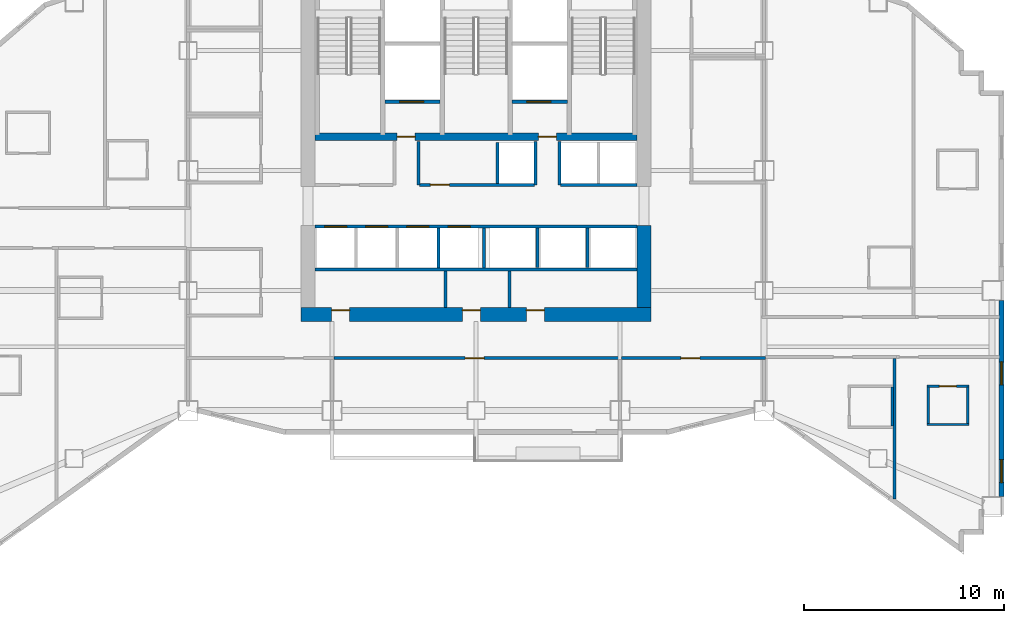
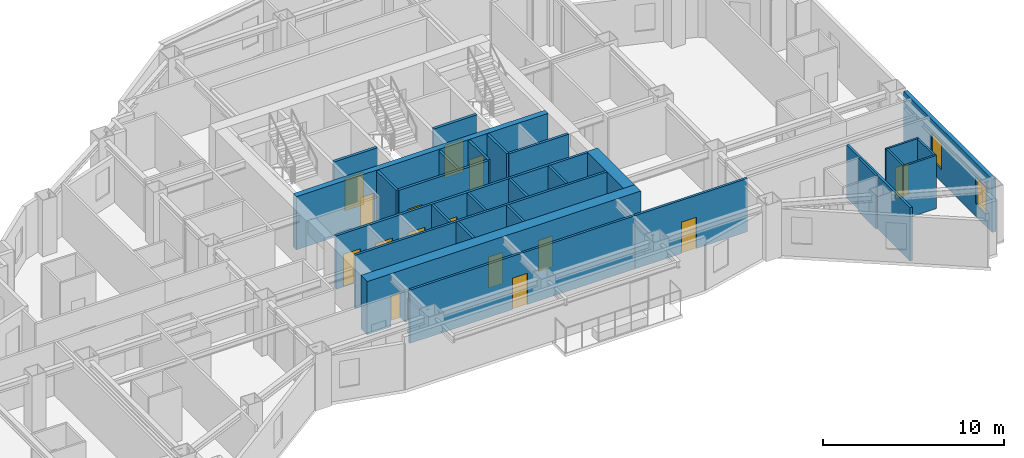
# One storey, part 7 of 13: 28 walls, 15 doors, 2 windows, 17 openings.
"""IFC4 building model written with IfcOpenShell, lengths in metres."""

from ifc_helpers import new_model, si_unit, direction, frame, frame_2d, origin, place, context, subcontext, project, spatial, rectangle, extrude, material, layer, layer_set, type_object, element, fill, save


model = new_model("IFC4")

# Units and contexts
model_context = context("Model", 3, precision=1e-05, world=origin(), true_north=direction((0.0, 1.0)))
body_context = subcontext(model_context, "Body", "Model", "MODEL_VIEW")
ifc_project = project(units=[si_unit("LENGTHUNIT", "METRE"), si_unit("AREAUNIT", "SQUARE_METRE"), si_unit("VOLUMEUNIT", "CUBIC_METRE"), si_unit("PLANEANGLEUNIT", "RADIAN"), si_unit("MASSUNIT", "GRAM", prefix="KILO")], contexts=[model_context])

# Site, building, storey
site_placement = place(None, origin())
site = spatial("IfcSite", under=ifc_project, at=site_placement, CompositionType="ELEMENT")
building_placement = place(site_placement, origin())
building = spatial("IfcBuilding", under=site, at=building_placement, Name="Haolan Belvedere Tower", CompositionType="ELEMENT")
storey_placement = place(building_placement, frame((0.0, 0.0, 106.0)))
storey = spatial("IfcBuildingStorey", under=building, at=storey_placement, Name="L26", CompositionType="ELEMENT", Elevation=106.0)

# Wall, openings, doors
ifc_material_1 = material(Name="Concrete C60/75", Category="concrete")
ifc_layer_1 = layer(ifc_material_1, 0.699951171875, Name="Concrete C60/75")
ifc_layer_set_1 = layer_set([ifc_layer_1], Name="Concrete C60/75")
wall_type_1 = type_object("IfcWallType", Name="WL-CORE-700", PredefinedType="SHEAR", material=ifc_layer_set_1)
wall_1_placement = place(storey_placement, frame((29.64990234375, 26.39990234375, 0.0), z_axis=(0.0, 0.0, 1.0), x_axis=(1.0, 0.0, 0.0)))
wall_1 = element("IfcWall", 1, at=wall_1_placement, inside=storey, type_object=wall_type_1, Name="L26 central core south shear wall", PredefinedType="SHEAR", context=body_context, shape_type="SweptSolid", body=[
    extrude(rectangle(XDim=17.5, YDim=0.699951171875, at=frame_2d((8.75, 0.0))), origin(), (0.0, 0.0, 1.0), 3.60009765625),
])
opening_1_placement = place(wall_1_placement, frame((2.419921875, 0.0, 0.0), z_axis=(0.0, 0.0, 1.0), x_axis=(-1.0, 0.0, 0.0)))
opening_1 = element("IfcOpeningElement", 2, at=opening_1_placement, cuts=wall_1, Name="Opening FD-05", PredefinedType="OPENING", context=body_context, shape_type="SweptSolid", body=[
    extrude(rectangle(XDim=0.89990234375, YDim=2.10009765625, at=frame_2d((0.449951171875, 1.050048828125))), frame((0.0, 0.35986328125, 0.0), z_axis=(0.0, -1.0, 0.0), x_axis=(1.0, 0.0, 0.0)), (0.0, 0.0, 1.0), 0.719970703125),
])
opening_2_placement = place(wall_1_placement, frame((8.9599609375, 0.0, 0.0), z_axis=(0.0, 0.0, 1.0), x_axis=(-1.0, 0.0, 0.0)))
opening_2 = element("IfcOpeningElement", 3, at=opening_2_placement, cuts=wall_1, Name="Opening FD-05", PredefinedType="OPENING", context=body_context, shape_type="SweptSolid", body=[
    extrude(rectangle(XDim=0.89990234375, YDim=2.10009765625, at=frame_2d((0.449951171875, 1.050048828125))), frame((0.0, 0.35986328125, 0.0), z_axis=(0.0, -1.0, 0.0), x_axis=(1.0, 0.0, 0.0)), (0.0, 0.0, 1.0), 0.719970703125),
])
opening_3_placement = place(wall_1_placement, frame((12.159912109375, 0.0, 0.0), z_axis=(0.0, 0.0, 1.0), x_axis=(-1.0, 0.0, 0.0)))
opening_3 = element("IfcOpeningElement", 4, at=opening_3_placement, cuts=wall_1, Name="Opening FD-05", PredefinedType="OPENING", context=body_context, shape_type="SweptSolid", body=[
    extrude(rectangle(XDim=0.89990234375, YDim=2.10009765625, at=frame_2d((0.449951171875, 1.050048828125))), frame((0.0, 0.35986328125, 0.0), z_axis=(0.0, -1.0, 0.0), x_axis=(1.0, 0.0, 0.0)), (0.0, 0.0, 1.0), 0.719970703125),
])
ifc_material_2 = material(Name="Galvanised fire-rated steel", Category="steel")
door_type_1 = type_object("IfcDoorType", Name="DR-FD60-900", OperationType="NOTDEFINED", PredefinedType="DOOR", material=ifc_material_2)
door_1_placement = place(opening_1_placement, origin())
door_1 = element("IfcDoor", 5, at=door_1_placement, inside=storey, type_object=door_type_1, Name="L26 door CD-L26-SCV-1", OperationType="SINGLE_SWING_LEFT", OverallHeight=2.10009765625, OverallWidth=0.89990234375, PredefinedType="DOOR", context=body_context, shape_type="SweptSolid", body=[
    extrude(rectangle(XDim=0.89990234375, YDim=2.10009765625, at=frame_2d((0.449951171875, 1.050048828125))), frame((0.0, -0.19482421875, 0.0), z_axis=(0.0, -1.0, 0.0), x_axis=(1.0, 0.0, 0.0)), (0.0, 0.0, 1.0), 0.050048828125),
])
fill(opening_1, door_1)
door_2_placement = place(opening_2_placement, origin())
door_2 = element("IfcDoor", 6, at=door_2_placement, inside=storey, type_object=door_type_1, Name="L26 door CD-L26-SCV-2", OperationType="SINGLE_SWING_RIGHT", OverallHeight=2.10009765625, OverallWidth=0.89990234375, PredefinedType="DOOR", context=body_context, shape_type="SweptSolid", body=[
    extrude(rectangle(XDim=0.89990234375, YDim=2.10009765625, at=frame_2d((0.449951171875, 1.050048828125))), frame((0.0, -0.19482421875, 0.0), z_axis=(0.0, -1.0, 0.0), x_axis=(1.0, 0.0, 0.0)), (0.0, 0.0, 1.0), 0.050048828125),
])
fill(opening_2, door_2)
door_3_placement = place(opening_3_placement, origin())
door_3 = element("IfcDoor", 7, at=door_3_placement, inside=storey, type_object=door_type_1, Name="L26 door CD-L26-SCV-3", OperationType="SINGLE_SWING_LEFT", OverallHeight=2.10009765625, OverallWidth=0.89990234375, PredefinedType="DOOR", context=body_context, shape_type="SweptSolid", body=[
    extrude(rectangle(XDim=0.89990234375, YDim=2.10009765625, at=frame_2d((0.449951171875, 1.050048828125))), frame((0.0, -0.19482421875, 0.0), z_axis=(0.0, -1.0, 0.0), x_axis=(1.0, 0.0, 0.0)), (0.0, 0.0, 1.0), 0.050048828125),
])
fill(opening_3, door_3)

# Wall
wall_2_placement = place(storey_placement, frame((46.800048828125, 26.75, 0.0), z_axis=(0.0, 0.0, 1.0), x_axis=(0.0, 1.0, 0.0)))
element("IfcWall", 8, at=wall_2_placement, inside=storey, type_object=wall_type_1, Name="L26 central core shear wall ES", PredefinedType="SHEAR", context=body_context, shape_type="SweptSolid", body=[
    extrude(rectangle(XDim=4.10009765625, YDim=0.699951171875, at=frame_2d((2.050048828125, 0.0))), origin(), (0.0, 0.0, 1.0), 3.60009765625),
])

# Wall, openings, windows
ifc_material_3 = material(Name="Precast concrete C40/50", Category="concrete")
ifc_layer_2 = layer(ifc_material_3, 0.239990234375, Name="Precast concrete C40/50")
ifc_layer_set_2 = layer_set([ifc_layer_2], Name="Precast concrete C40/50")
wall_type_2 = type_object("IfcWallType", Name="WL-EXT-240", PredefinedType="SOLIDWALL", material=ifc_layer_set_2)
wall_3_placement = place(storey_placement, frame((64.679931640625, 17.2919921875, 0.0), z_axis=(0.0, 0.0, 1.0), x_axis=(0.0, 1.0, 0.0)))
wall_3 = element("IfcWall", 9, at=wall_3_placement, inside=storey, type_object=wall_type_2, Name="L26 pale-metal exterior spandrel wall 14.1", PredefinedType="SOLIDWALL", context=body_context, shape_type="SweptSolid", body=[
    extrude(rectangle(XDim=9.81591796875, YDim=0.239990234375, at=frame_2d((4.907958984375, 0.0))), origin(), (0.0, 0.0, 1.0), 3.60009765625),
])
opening_4_placement = place(wall_3_placement, frame((0.699951171875, 0.0, 0.85009765625)))
opening_4 = element("IfcOpeningElement", 10, at=opening_4_placement, cuts=wall_3, Name="Opening W-02", PredefinedType="OPENING", context=body_context, shape_type="SweptSolid", body=[
    extrude(rectangle(XDim=1.14990234375, YDim=1.800048828125, at=frame_2d((0.574951171875, 0.89990234375))), frame((0.0, 0.1298828125, 0.0), z_axis=(0.0, -1.0, 0.0), x_axis=(1.0, 0.0, 0.0)), (0.0, 0.0, 1.0), 0.260009765625),
])
opening_5_placement = place(wall_3_placement, frame((5.593017578125, 0.0, 0.85009765625)))
opening_5 = element("IfcOpeningElement", 11, at=opening_5_placement, cuts=wall_3, Name="Opening W-02", PredefinedType="OPENING", context=body_context, shape_type="SweptSolid", body=[
    extrude(rectangle(XDim=1.14990234375, YDim=1.800048828125, at=frame_2d((0.574951171875, 0.89990234375))), frame((0.0, 0.1298828125, 0.0), z_axis=(0.0, -1.0, 0.0), x_axis=(1.0, 0.0, 0.0)), (0.0, 0.0, 1.0), 0.260009765625),
])
ifc_material_4 = material(Name="Anodised aluminium 6063-T6 and Low-E glass", Category="aluminium")
window_type = type_object("IfcWindowType", Name="WN-DECO-Z2", PartitioningType="SINGLE_PANEL", PredefinedType="WINDOW", material=ifc_material_4)
window_1_placement = place(opening_4_placement, origin())
window_1 = element("IfcWindow", 12, at=window_1_placement, inside=storey, type_object=window_type, Name="L26 Art Deco chevron window 1", OverallHeight=1.800048828125, OverallWidth=1.14990234375, PartitioningType="SINGLE_PANEL", PredefinedType="WINDOW", context=body_context, shape_type="SweptSolid", body=[
    extrude(rectangle(XDim=1.14990234375, YDim=1.800048828125, at=frame_2d((0.574951171875, 0.89990234375))), frame((0.0, 0.030029296875, 0.0), z_axis=(0.0, -1.0, 0.0), x_axis=(1.0, 0.0, 0.0)), (0.0, 0.0, 1.0), 0.06005859375),
])
fill(opening_4, window_1)
window_2_placement = place(opening_5_placement, origin())
window_2 = element("IfcWindow", 13, at=window_2_placement, inside=storey, type_object=window_type, Name="L26 Art Deco chevron window 2", OverallHeight=1.800048828125, OverallWidth=1.14990234375, PartitioningType="SINGLE_PANEL", PredefinedType="WINDOW", context=body_context, shape_type="SweptSolid", body=[
    extrude(rectangle(XDim=1.14990234375, YDim=1.800048828125, at=frame_2d((0.574951171875, 0.89990234375))), frame((0.0, 0.030029296875, 0.0), z_axis=(0.0, -1.0, 0.0), x_axis=(1.0, 0.0, 0.0)), (0.0, 0.0, 1.0), 0.06005859375),
])
fill(opening_5, window_2)

# Walls
ifc_material_5 = material(Name="Double gypsum acoustic stud partition", Category="masonry")
ifc_layer_3 = layer(ifc_material_5, 0.14990234375, Name="Double gypsum acoustic stud partition")
ifc_layer_set_3 = layer_set([ifc_layer_3], Name="Double gypsum acoustic stud partition")
wall_type_3 = type_object("IfcWallType", Name="WL-PART-150", PredefinedType="PARTITIONING", material=ifc_layer_set_3)
wall_4_placement = place(storey_placement, frame((30.35009765625, 28.659912109375, 0.0), z_axis=(0.0, 0.0, 1.0), x_axis=(1.0, 0.0, 0.0)))
element("IfcWall", 14, at=wall_4_placement, inside=storey, type_object=wall_type_3, Name="L26 interior partition IW-L26-SSTRIP-N", PredefinedType="PARTITIONING", context=body_context, shape_type="SweptSolid", body=[
    extrude(rectangle(XDim=16.099853515625, YDim=0.14990234375, at=frame_2d((8.0498046875, 0.0))), origin(), (0.0, 0.0, 1.0), 3.60009765625),
])
for number, where, z_axis, x_axis, name in (
    (15, (36.8798828125, 26.760009765625, 0.0), (0.0, 0.0, 1.0), (0.0, 1.0, 0.0), "L26 interior partition IW-L26-SCV-DIV-1"),
    (16, (40.080078125, 26.760009765625, 0.0), (0.0, 0.0, 1.0), (0.0, 1.0, 0.0), "L26 interior partition IW-L26-SCV-DIV-2"),
):
    element("IfcWall", number, at=place(storey_placement, frame(where, z_axis=z_axis, x_axis=x_axis)), inside=storey, type_object=wall_type_3, Name=name, PredefinedType="PARTITIONING", context=body_context, shape_type="SweptSolid", body=[
        extrude(rectangle(XDim=1.820068359375, YDim=0.14990234375, at=frame_2d((0.91015625, 0.0))), origin(), (0.0, 0.0, 1.0), 3.60009765625),
    ])

# Wall, opening, door
wall_5_placement = place(storey_placement, frame((31.281982421875, 24.219970703125, 0.0), z_axis=(0.0, 0.0, 1.0), x_axis=(1.0, 0.0, 0.0)))
wall_5 = element("IfcWall", 17, at=wall_5_placement, inside=storey, type_object=wall_type_3, Name="L26 interior partition IW-L26-KS2-N", PredefinedType="PARTITIONING", context=body_context, shape_type="SweptSolid", body=[
    extrude(rectangle(XDim=14.39794921875, YDim=0.14990234375, at=frame_2d((7.198974609375, 0.0))), origin(), (0.0, 0.0, 1.0), 3.60009765625),
])
opening_6_placement = place(wall_5_placement, frame((7.512939453125, 0.0, 0.0), z_axis=(0.0, 0.0, 1.0), x_axis=(-1.0, 0.0, 0.0)))
opening_6 = element("IfcOpeningElement", 18, at=opening_6_placement, cuts=wall_5, Name="Opening ID-03", PredefinedType="OPENING", context=body_context, shape_type="SweptSolid", body=[
    extrude(rectangle(XDim=0.949951171875, YDim=2.1201171875, at=frame_2d((0.47509765625, 1.06005859375))), frame((0.0, 0.0849609375, 0.0), z_axis=(0.0, -1.0, 0.0), x_axis=(1.0, 0.0, 0.0)), (0.0, 0.0, 1.0), 0.169921875),
])
ifc_material_6 = material(Name="Painted solid-core timber", Category="wood")
door_type_2 = type_object("IfcDoorType", Name="DR-INT-950", OperationType="NOTDEFINED", PredefinedType="DOOR", material=ifc_material_6)
door_4_placement = place(opening_6_placement, origin())
door_4 = element("IfcDoor", 19, at=door_4_placement, inside=storey, type_object=door_type_2, Name="L26 door ID-L26-KS2", OperationType="SINGLE_SWING_LEFT", OverallHeight=2.1201171875, OverallWidth=0.949951171875, PredefinedType="DOOR", context=body_context, shape_type="SweptSolid", body=[
    extrude(rectangle(XDim=0.949951171875, YDim=2.1201171875, at=frame_2d((0.47509765625, 1.06005859375))), frame((0.0, 0.02490234375, 0.0), z_axis=(0.0, -1.0, 0.0), x_axis=(1.0, 0.0, 0.0)), (0.0, 0.0, 1.0), 0.050048828125),
])
fill(opening_6, door_4)

wall_6_placement = place(storey_placement, frame((45.681884765625, 24.219970703125, 0.0), z_axis=(0.0, 0.0, 1.0), x_axis=(1.0, 0.0, 0.0)))
wall_6 = element("IfcWall", 20, at=wall_6_placement, inside=storey, type_object=wall_type_3, Name="L26 interior partition IW-L26-KS3-N", PredefinedType="PARTITIONING", context=body_context, shape_type="SweptSolid", body=[
    extrude(rectangle(XDim=7.197998046875, YDim=0.14990234375, at=frame_2d((3.59912109375, 0.0))), origin(), (0.0, 0.0, 1.0), 3.60009765625),
])
opening_7_placement = place(wall_6_placement, frame((3.912841796875, 0.0, 0.0), z_axis=(0.0, 0.0, 1.0), x_axis=(-1.0, 0.0, 0.0)))
opening_7 = element("IfcOpeningElement", 21, at=opening_7_placement, cuts=wall_6, Name="Opening ID-03", PredefinedType="OPENING", context=body_context, shape_type="SweptSolid", body=[
    extrude(rectangle(XDim=0.949951171875, YDim=2.1201171875, at=frame_2d((0.47509765625, 1.06005859375))), frame((0.0, 0.0849609375, 0.0), z_axis=(0.0, -1.0, 0.0), x_axis=(1.0, 0.0, 0.0)), (0.0, 0.0, 1.0), 0.169921875),
])
door_5_placement = place(opening_7_placement, origin())
door_5 = element("IfcDoor", 22, at=door_5_placement, inside=storey, type_object=door_type_2, Name="L26 door ID-L26-KS3", OperationType="SINGLE_SWING_RIGHT", OverallHeight=2.1201171875, OverallWidth=0.949951171875, PredefinedType="DOOR", context=body_context, shape_type="SweptSolid", body=[
    extrude(rectangle(XDim=0.949951171875, YDim=2.1201171875, at=frame_2d((0.47509765625, 1.06005859375))), frame((0.0, 0.02490234375, 0.0), z_axis=(0.0, -1.0, 0.0), x_axis=(1.0, 0.0, 0.0)), (0.0, 0.0, 1.0), 0.050048828125),
])
fill(opening_7, door_5)

# Walls
wall_7_placement = place(storey_placement, frame((59.320068359375, 17.182861328125, 0.0), z_axis=(0.0, 0.0, 1.0), x_axis=(0.0, 1.0, 0.0)))
element("IfcWall", 23, at=wall_7_placement, inside=storey, type_object=wall_type_3, Name="L26 interior partition IW-L26-T4S1-E", PredefinedType="PARTITIONING", context=body_context, shape_type="SweptSolid", body=[
    extrude(rectangle(XDim=7.027099609375, YDim=0.14990234375, at=frame_2d((3.513671875, 0.0))), origin(), (0.0, 0.0, 1.0), 3.60009765625),
])
ifc_material_7 = material(Name="Gypsum fire shaftwall assembly", Category="masonry")
ifc_layer_4 = layer(ifc_material_7, 0.1650390625, Name="Gypsum fire shaftwall assembly")
ifc_layer_set_4 = layer_set([ifc_layer_4], Name="Gypsum fire shaftwall assembly")
wall_type_4 = type_object("IfcWallType", Name="WL-SHAFT-160", PredefinedType="SOLIDWALL", material=ifc_layer_set_4)
for number, where, z_axis, x_axis, name in (
    (24, (35.510009765625, 32.8798828125, 0.0), (0.0, 0.0, 1.0), (0.0, 1.0, 0.0), "L26 interior partition IW-L26-SVP-E-SV1"),
    (25, (41.3701171875, 32.8798828125, 0.0), (0.0, 0.0, 1.0), (0.0, 1.0, 0.0), "L26 interior partition IW-L26-SVP-W-SV2"),
    (26, (42.570068359375, 32.8798828125, 0.0), (0.0, 0.0, 1.0), (0.0, 1.0, 0.0), "L26 interior partition IW-L26-SVP-E-SV2"),
):
    element("IfcWall", number, at=place(storey_placement, frame(where, z_axis=z_axis, x_axis=x_axis)), inside=storey, type_object=wall_type_4, Name=name, PredefinedType="SOLIDWALL", context=body_context, shape_type="SweptSolid", body=[
        extrude(rectangle(XDim=2.170166015625, YDim=0.14990234375, at=frame_2d((1.0849609375, 0.0))), origin(), (0.0, 0.0, 1.0), 3.60009765625),
    ])

# Wall, opening, door
wall_8_placement = place(storey_placement, frame((35.570068359375, 32.8798828125, 0.0), z_axis=(0.0, 0.0, 1.0), x_axis=(1.0, 0.0, 0.0)))
wall_8 = element("IfcWall", 27, at=wall_8_placement, inside=storey, type_object=wall_type_4, Name="L26 interior partition IW-L26-ROW-PN2", PredefinedType="SOLIDWALL", context=body_context, shape_type="SweptSolid", body=[
    extrude(rectangle(XDim=5.739990234375, YDim=0.159912109375, at=frame_2d((2.8701171875, 0.0))), origin(), (0.0, 0.0, 1.0), 3.60009765625),
])
opening_8_placement = place(wall_8_placement, frame((1.489990234375, 0.0, 0.0), z_axis=(0.0, 0.0, 1.0), x_axis=(-1.0, 0.0, 0.0)))
opening_8 = element("IfcOpeningElement", 28, at=opening_8_placement, cuts=wall_8, Name="Opening ID-03", PredefinedType="OPENING", context=body_context, shape_type="SweptSolid", body=[
    extrude(rectangle(XDim=0.949951171875, YDim=2.1201171875, at=frame_2d((0.47509765625, 1.06005859375))), frame((0.0, 0.08984375, 0.0), z_axis=(0.0, -1.0, 0.0), x_axis=(1.0, 0.0, 0.0)), (0.0, 0.0, 1.0), 0.179931640625),
])
door_6_placement = place(opening_8_placement, origin())
door_6 = element("IfcDoor", 29, at=door_6_placement, inside=storey, type_object=door_type_2, Name="L26 door ID-L26-CD-RPLE", OperationType="SINGLE_SWING_RIGHT", OverallHeight=2.1201171875, OverallWidth=0.949951171875, PredefinedType="DOOR", context=body_context, shape_type="SweptSolid", body=[
    extrude(rectangle(XDim=0.949951171875, YDim=2.1201171875, at=frame_2d((0.47509765625, 1.06005859375))), frame((0.0, 0.02490234375, 0.0), z_axis=(0.0, -1.0, 0.0), x_axis=(1.0, 0.0, 0.0)), (0.0, 0.0, 1.0), 0.050048828125),
])
fill(opening_8, door_6)

# Walls
wall_9_placement = place(storey_placement, frame((42.6298828125, 32.8798828125, 0.0), z_axis=(0.0, 0.0, 1.0), x_axis=(1.0, 0.0, 0.0)))
element("IfcWall", 30, at=wall_9_placement, inside=storey, type_object=wall_type_4, Name="L26 interior partition IW-L26-ROW-PN3", PredefinedType="SOLIDWALL", context=body_context, shape_type="SweptSolid", body=[
    extrude(rectangle(XDim=3.820068359375, YDim=0.159912109375, at=frame_2d((1.91015625, 0.0))), origin(), (0.0, 0.0, 1.0), 3.60009765625),
])
wall_10_placement = place(storey_placement, frame((39.469970703125, 32.949951171875, 0.0), z_axis=(0.0, 0.0, 1.0), x_axis=(0.0, 1.0, 0.0)))
element("IfcWall", 31, at=wall_10_placement, inside=storey, type_object=wall_type_4, Name="L26 interior partition IW-L26-DIV-PL4R", PredefinedType="SOLIDWALL", context=body_context, shape_type="SweptSolid", body=[
    extrude(rectangle(XDim=2.050048828125, YDim=0.14990234375, at=frame_2d((1.02490234375, 0.0))), origin(), (0.0, 0.0, 1.0), 3.60009765625),
])

# Wall, openings, doors
wall_11_placement = place(storey_placement, frame((30.35009765625, 30.800048828125, 0.0), z_axis=(0.0, 0.0, 1.0), x_axis=(1.0, 0.0, 0.0)))
wall_11 = element("IfcWall", 32, at=wall_11_placement, inside=storey, type_object=wall_type_4, Name="L26 interior partition IW-L26-ROW-PS", PredefinedType="SOLIDWALL", context=body_context, shape_type="SweptSolid", body=[
    extrude(rectangle(XDim=16.099853515625, YDim=0.159912109375, at=frame_2d((8.0498046875, 0.0))), origin(), (0.0, 0.0, 1.0), 3.60009765625),
])
opening_9_placement = place(wall_11_placement, frame((0.469970703125, 0.0, 0.0)))
opening_9 = element("IfcOpeningElement", 33, at=opening_9_placement, cuts=wall_11, Name="Opening LD-01", PredefinedType="OPENING", context=body_context, shape_type="SweptSolid", body=[
    extrude(rectangle(XDim=1.10009765625, YDim=2.199951171875, at=frame_2d((0.550048828125, 1.10009765625))), frame((0.0, 0.08984375, 0.0), z_axis=(0.0, -1.0, 0.0), x_axis=(1.0, 0.0, 0.0)), (0.0, 0.0, 1.0), 0.179931640625),
])
opening_10_placement = place(wall_11_placement, frame((2.530029296875, 0.0, 0.0)))
opening_10 = element("IfcOpeningElement", 34, at=opening_10_placement, cuts=wall_11, Name="Opening LD-01", PredefinedType="OPENING", context=body_context, shape_type="SweptSolid", body=[
    extrude(rectangle(XDim=1.10009765625, YDim=2.199951171875, at=frame_2d((0.550048828125, 1.10009765625))), frame((0.0, 0.08984375, 0.0), z_axis=(0.0, -1.0, 0.0), x_axis=(1.0, 0.0, 0.0)), (0.0, 0.0, 1.0), 0.179931640625),
])
opening_11_placement = place(wall_11_placement, frame((4.590087890625, 0.0, 0.0)))
opening_11 = element("IfcOpeningElement", 35, at=opening_11_placement, cuts=wall_11, Name="Opening LD-01", PredefinedType="OPENING", context=body_context, shape_type="SweptSolid", body=[
    extrude(rectangle(XDim=1.10009765625, YDim=2.199951171875, at=frame_2d((0.550048828125, 1.10009765625))), frame((0.0, 0.08984375, 0.0), z_axis=(0.0, -1.0, 0.0), x_axis=(1.0, 0.0, 0.0)), (0.0, 0.0, 1.0), 0.179931640625),
])
opening_12_placement = place(wall_11_placement, frame((6.64990234375, 0.0, 0.0)))
opening_12 = element("IfcOpeningElement", 36, at=opening_12_placement, cuts=wall_11, Name="Opening LD-01", PredefinedType="OPENING", context=body_context, shape_type="SweptSolid", body=[
    extrude(rectangle(XDim=1.10009765625, YDim=2.199951171875, at=frame_2d((0.550048828125, 1.10009765625))), frame((0.0, 0.08984375, 0.0), z_axis=(0.0, -1.0, 0.0), x_axis=(1.0, 0.0, 0.0)), (0.0, 0.0, 1.0), 0.179931640625),
])
ifc_material_8 = material(Name="Brushed champagne stainless steel 316L", Category="steel")
door_type_3 = type_object("IfcDoorType", Name="DR-LIFT-1100", OperationType="SLIDING_TO_LEFT", PredefinedType="DOOR", material=ifc_material_8)
door_7_placement = place(opening_9_placement, origin())
door_7 = element("IfcDoor", 37, at=door_7_placement, inside=storey, type_object=door_type_3, Name="L26 door ID-L26-LD-PM1", OperationType="SLIDING_TO_LEFT", OverallHeight=2.199951171875, OverallWidth=1.10009765625, PredefinedType="DOOR", context=body_context, shape_type="SweptSolid", body=[
    extrude(rectangle(XDim=1.10009765625, YDim=2.199951171875, at=frame_2d((0.550048828125, 1.10009765625))), frame((0.0, 0.02490234375, 0.0), z_axis=(0.0, -1.0, 0.0), x_axis=(1.0, 0.0, 0.0)), (0.0, 0.0, 1.0), 0.050048828125),
])
fill(opening_9, door_7)
door_8_placement = place(opening_10_placement, origin())
door_8 = element("IfcDoor", 38, at=door_8_placement, inside=storey, type_object=door_type_3, Name="L26 door ID-L26-LD-PM2", OperationType="SLIDING_TO_LEFT", OverallHeight=2.199951171875, OverallWidth=1.10009765625, PredefinedType="DOOR", context=body_context, shape_type="SweptSolid", body=[
    extrude(rectangle(XDim=1.10009765625, YDim=2.199951171875, at=frame_2d((0.550048828125, 1.10009765625))), frame((0.0, 0.02490234375, 0.0), z_axis=(0.0, -1.0, 0.0), x_axis=(1.0, 0.0, 0.0)), (0.0, 0.0, 1.0), 0.050048828125),
])
fill(opening_10, door_8)
door_9_placement = place(opening_11_placement, origin())
door_9 = element("IfcDoor", 39, at=door_9_placement, inside=storey, type_object=door_type_3, Name="L26 door ID-L26-LD-PM3", OperationType="SLIDING_TO_LEFT", OverallHeight=2.199951171875, OverallWidth=1.10009765625, PredefinedType="DOOR", context=body_context, shape_type="SweptSolid", body=[
    extrude(rectangle(XDim=1.10009765625, YDim=2.199951171875, at=frame_2d((0.550048828125, 1.10009765625))), frame((0.0, 0.02490234375, 0.0), z_axis=(0.0, -1.0, 0.0), x_axis=(1.0, 0.0, 0.0)), (0.0, 0.0, 1.0), 0.050048828125),
])
fill(opening_11, door_9)
door_10_placement = place(opening_12_placement, origin())
door_10 = element("IfcDoor", 40, at=door_10_placement, inside=storey, type_object=door_type_3, Name="L26 door ID-L26-LD-PM4", OperationType="SLIDING_TO_LEFT", OverallHeight=2.199951171875, OverallWidth=1.10009765625, PredefinedType="DOOR", context=body_context, shape_type="SweptSolid", body=[
    extrude(rectangle(XDim=1.10009765625, YDim=2.199951171875, at=frame_2d((0.550048828125, 1.10009765625))), frame((0.0, 0.02490234375, 0.0), z_axis=(0.0, -1.0, 0.0), x_axis=(1.0, 0.0, 0.0)), (0.0, 0.0, 1.0), 0.050048828125),
])
fill(opening_12, door_10)

# Walls
for number, where, z_axis, x_axis, name in (
    (41, (36.52001953125, 28.735107421875, 0.0), (0.0, 0.0, 1.0), (0.0, 1.0, 0.0), "L26 interior partition IW-L26-DIV-PM3"),
    (42, (38.800048828125, 28.735107421875, 0.0), (0.0, 0.0, 1.0), (0.0, 1.0, 0.0), "L26 interior partition IW-L26-DIV-PM4"),
):
    element("IfcWall", number, at=place(storey_placement, frame(where, z_axis=z_axis, x_axis=x_axis)), inside=storey, type_object=wall_type_4, Name=name, PredefinedType="SOLIDWALL", context=body_context, shape_type="SweptSolid", body=[
        extrude(rectangle(XDim=1.98486328125, YDim=0.14990234375, at=frame_2d((0.992431640625, 0.0))), origin(), (0.0, 0.0, 1.0), 3.60009765625),
    ])
for number, where, z_axis, x_axis, name in (
    (43, (41.469970703125, 28.75, 0.0), (0.0, 0.0, 1.0), (0.0, 1.0, 0.0), "L26 interior partition IW-L26-DIV-OB1"),
    (44, (43.97998046875, 28.75, 0.0), (0.0, 0.0, 1.0), (0.0, 1.0, 0.0), "L26 interior partition IW-L26-DIV-OB2"),
):
    element("IfcWall", number, at=place(storey_placement, frame(where, z_axis=z_axis, x_axis=x_axis)), inside=storey, type_object=wall_type_4, Name=name, PredefinedType="SOLIDWALL", context=body_context, shape_type="SweptSolid", body=[
        extrude(rectangle(XDim=1.985107421875, YDim=0.14990234375, at=frame_2d((0.99267578125, 0.0))), origin(), (0.0, 0.0, 1.0), 3.60009765625),
    ])

# Wall, opening, door
ifc_layer_5 = layer(ifc_material_3, 0.179931640625, Name="Precast concrete C40/50")
ifc_layer_set_5 = layer_set([ifc_layer_5], Name="Precast concrete C40/50")
wall_type_5 = type_object("IfcWallType", Name="WL-SHAFT-180", PredefinedType="SOLIDWALL", material=ifc_layer_set_5)
wall_12_placement = place(storey_placement, frame((33.8349609375, 37.050048828125, 0.0), z_axis=(0.0, 0.0, 1.0), x_axis=(1.0, 0.0, 0.0)))
wall_12 = element("IfcWall", 45, at=wall_12_placement, inside=storey, type_object=wall_type_5, Name="L26 interior partition IW-L26-SV1-S", PredefinedType="SOLIDWALL", context=body_context, shape_type="SweptSolid", body=[
    extrude(rectangle(XDim=2.77001953125, YDim=0.179931640625, at=frame_2d((1.385009765625, 0.0))), origin(), (0.0, 0.0, 1.0), 3.60009765625),
])
opening_13_placement = place(wall_12_placement, frame((1.945068359375, 0.0, 0.0), z_axis=(0.0, 0.0, 1.0), x_axis=(-1.0, 0.0, 0.0)))
opening_13 = element("IfcOpeningElement", 46, at=opening_13_placement, cuts=wall_12, Name="Opening LD-02", PredefinedType="OPENING", context=body_context, shape_type="SweptSolid", body=[
    extrude(rectangle(XDim=1.199951171875, YDim=2.199951171875, at=frame_2d((0.60009765625, 1.10009765625))), frame((0.0, 0.099853515625, 0.0), z_axis=(0.0, -1.0, 0.0), x_axis=(1.0, 0.0, 0.0)), (0.0, 0.0, 1.0), 0.199951171875),
])
door_type_4 = type_object("IfcDoorType", Name="DR-LIFT-1200", OperationType="SLIDING_TO_RIGHT", PredefinedType="DOOR", material=ifc_material_8)
door_11_placement = place(opening_13_placement, origin())
door_11 = element("IfcDoor", 47, at=door_11_placement, inside=storey, type_object=door_type_4, Name="L26 door ID-L26-LD-SV1", OperationType="SLIDING_TO_RIGHT", OverallHeight=2.199951171875, OverallWidth=1.199951171875, PredefinedType="DOOR", context=body_context, shape_type="SweptSolid", body=[
    extrude(rectangle(XDim=1.199951171875, YDim=2.199951171875, at=frame_2d((0.60009765625, 1.10009765625))), frame((0.0, 0.02490234375, 0.0), z_axis=(0.0, -1.0, 0.0), x_axis=(1.0, 0.0, 0.0)), (0.0, 0.0, 1.0), 0.050048828125),
])
fill(opening_13, door_11)

wall_13_placement = place(storey_placement, frame((40.195068359375, 37.050048828125, 0.0), z_axis=(0.0, 0.0, 1.0), x_axis=(1.0, 0.0, 0.0)))
wall_13 = element("IfcWall", 48, at=wall_13_placement, inside=storey, type_object=wall_type_5, Name="L26 interior partition IW-L26-SV2-S", PredefinedType="SOLIDWALL", context=body_context, shape_type="SweptSolid", body=[
    extrude(rectangle(XDim=2.77001953125, YDim=0.179931640625, at=frame_2d((1.385009765625, 0.0))), origin(), (0.0, 0.0, 1.0), 3.60009765625),
])
opening_14_placement = place(wall_13_placement, frame((1.945068359375, 0.0, 0.0), z_axis=(0.0, 0.0, 1.0), x_axis=(-1.0, 0.0, 0.0)))
opening_14 = element("IfcOpeningElement", 49, at=opening_14_placement, cuts=wall_13, Name="Opening LD-02", PredefinedType="OPENING", context=body_context, shape_type="SweptSolid", body=[
    extrude(rectangle(XDim=1.199951171875, YDim=2.199951171875, at=frame_2d((0.60009765625, 1.10009765625))), frame((0.0, 0.099853515625, 0.0), z_axis=(0.0, -1.0, 0.0), x_axis=(1.0, 0.0, 0.0)), (0.0, 0.0, 1.0), 0.199951171875),
])
door_12_placement = place(opening_14_placement, origin())
door_12 = element("IfcDoor", 50, at=door_12_placement, inside=storey, type_object=door_type_4, Name="L26 door ID-L26-LD-SV2", OperationType="SLIDING_TO_RIGHT", OverallHeight=2.199951171875, OverallWidth=1.199951171875, PredefinedType="DOOR", context=body_context, shape_type="SweptSolid", body=[
    extrude(rectangle(XDim=1.199951171875, YDim=2.199951171875, at=frame_2d((0.60009765625, 1.10009765625))), frame((0.0, 0.02490234375, 0.0), z_axis=(0.0, -1.0, 0.0), x_axis=(1.0, 0.0, 0.0)), (0.0, 0.0, 1.0), 0.050048828125),
])
fill(opening_14, door_12)

# Wall, openings, doors
ifc_layer_6 = layer(ifc_material_1, 0.360107421875, Name="Concrete C60/75")
ifc_layer_set_6 = layer_set([ifc_layer_6], Name="Concrete C60/75")
wall_type_6 = type_object("IfcWallType", Name="WL-WEB-350", PredefinedType="SHEAR", material=ifc_layer_set_6)
wall_14_placement = place(storey_placement, frame((30.35009765625, 35.2900390625, 0.0), z_axis=(0.0, 0.0, 1.0), x_axis=(1.0, 0.0, 0.0)))
wall_14 = element("IfcWall", 51, at=wall_14_placement, inside=storey, type_object=wall_type_6, Name="L26 central core internal shear web", PredefinedType="SHEAR", context=body_context, shape_type="SweptSolid", body=[
    extrude(rectangle(XDim=16.099853515625, YDim=0.360107421875, at=frame_2d((8.0498046875, 0.0))), origin(), (0.0, 0.0, 1.0), 3.60009765625),
])
opening_15_placement = place(wall_14_placement, frame((5.0, 0.0, 0.0), z_axis=(0.0, 0.0, 1.0), x_axis=(-1.0, 0.0, 0.0)))
opening_15 = element("IfcOpeningElement", 52, at=opening_15_placement, cuts=wall_14, Name="Opening FD-05", PredefinedType="OPENING", context=body_context, shape_type="SweptSolid", body=[
    extrude(rectangle(XDim=0.89990234375, YDim=2.10009765625, at=frame_2d((0.449951171875, 1.050048828125))), frame((0.0, 0.18994140625, 0.0), z_axis=(0.0, -1.0, 0.0), x_axis=(1.0, 0.0, 0.0)), (0.0, 0.0, 1.0), 0.380126953125),
])
opening_16_placement = place(wall_14_placement, frame((12.059814453125, 0.0, 0.0), z_axis=(0.0, 0.0, 1.0), x_axis=(-1.0, 0.0, 0.0)))
opening_16 = element("IfcOpeningElement", 53, at=opening_16_placement, cuts=wall_14, Name="Opening FD-05", PredefinedType="OPENING", context=body_context, shape_type="SweptSolid", body=[
    extrude(rectangle(XDim=0.89990234375, YDim=2.10009765625, at=frame_2d((0.449951171875, 1.050048828125))), frame((0.0, 0.18994140625, 0.0), z_axis=(0.0, -1.0, 0.0), x_axis=(1.0, 0.0, 0.0)), (0.0, 0.0, 1.0), 0.380126953125),
])
door_13_placement = place(opening_15_placement, origin())
door_13 = element("IfcDoor", 54, at=door_13_placement, inside=storey, type_object=door_type_1, Name="L26 door CD-L26-SVL-SV1", OperationType="SINGLE_SWING_RIGHT", OverallHeight=2.10009765625, OverallWidth=0.89990234375, PredefinedType="DOOR", context=body_context, shape_type="SweptSolid", body=[
    extrude(rectangle(XDim=0.89990234375, YDim=2.10009765625, at=frame_2d((0.449951171875, 1.050048828125))), frame((0.0, 0.02490234375, 0.0), z_axis=(0.0, -1.0, 0.0), x_axis=(1.0, 0.0, 0.0)), (0.0, 0.0, 1.0), 0.050048828125),
])
fill(opening_15, door_13)
door_14_placement = place(opening_16_placement, origin())
door_14 = element("IfcDoor", 55, at=door_14_placement, inside=storey, type_object=door_type_1, Name="L26 door CD-L26-SVL-SV2", OperationType="SINGLE_SWING_RIGHT", OverallHeight=2.10009765625, OverallWidth=0.89990234375, PredefinedType="DOOR", context=body_context, shape_type="SweptSolid", body=[
    extrude(rectangle(XDim=0.89990234375, YDim=2.10009765625, at=frame_2d((0.449951171875, 1.050048828125))), frame((0.0, 0.02490234375, 0.0), z_axis=(0.0, -1.0, 0.0), x_axis=(1.0, 0.0, 0.0)), (0.0, 0.0, 1.0), 0.050048828125),
])
fill(opening_16, door_14)

# Wall
ifc_material_9 = material(Name="Moisture-resistant gypsum tile partition", Category="masonry")
ifc_layer_7 = layer(ifc_material_9, 0.1201171875, Name="Moisture-resistant gypsum tile partition")
ifc_layer_set_7 = layer_set([ifc_layer_7], Name="Moisture-resistant gypsum tile partition")
wall_type_7 = type_object("IfcWallType", Name="WL-WET-120", PredefinedType="PARTITIONING", material=ifc_layer_set_7)
wall_15_placement = place(storey_placement, frame((59.219970703125, 20.81494140625, 0.0), z_axis=(0.0, 0.0, 1.0), x_axis=(0.0, 1.0, 0.0)))
element("IfcWall", 56, at=wall_15_placement, inside=storey, type_object=wall_type_7, Name="L26 interior partition IW-L26-T4S1-BE", PredefinedType="PARTITIONING", context=body_context, shape_type="SweptSolid", body=[
    extrude(rectangle(XDim=1.9599609375, YDim=0.1201171875, at=frame_2d((0.97998046875, 0.0))), origin(), (0.0, 0.0, 1.0), 3.60009765625),
])

# Wall, opening, door
wall_16_placement = place(storey_placement, frame((60.945068359375, 22.820068359375, 0.0), z_axis=(0.0, 0.0, 1.0), x_axis=(1.0, 0.0, 0.0)))
wall_16 = element("IfcWall", 57, at=wall_16_placement, inside=storey, type_object=wall_type_7, Name="L26 interior partition IW-L26-T4S2-BN", PredefinedType="PARTITIONING", context=body_context, shape_type="SweptSolid", body=[
    extrude(rectangle(XDim=2.099853515625, YDim=0.1201171875, at=frame_2d((1.0498046875, 0.0))), origin(), (0.0, 0.0, 1.0), 3.60009765625),
])
opening_17_placement = place(wall_16_placement, frame((1.47509765625, 0.0, 0.0), z_axis=(0.0, 0.0, 1.0), x_axis=(-1.0, 0.0, 0.0)))
opening_17 = element("IfcOpeningElement", 58, at=opening_17_placement, cuts=wall_16, Name="Opening ID-05", PredefinedType="OPENING", context=body_context, shape_type="SweptSolid", body=[
    extrude(rectangle(XDim=0.85009765625, YDim=2.10009765625, at=frame_2d((0.425048828125, 1.050048828125))), frame((0.0, 0.070068359375, 0.0), z_axis=(0.0, -1.0, 0.0), x_axis=(1.0, 0.0, 0.0)), (0.0, 0.0, 1.0), 0.14013671875),
])
ifc_material_10 = material(Name="Moisture-resistant lacquered timber", Category="wood")
door_type_5 = type_object("IfcDoorType", Name="DR-BATH-850", OperationType="NOTDEFINED", PredefinedType="DOOR", material=ifc_material_10)
door_15_placement = place(opening_17_placement, origin())
door_15 = element("IfcDoor", 59, at=door_15_placement, inside=storey, type_object=door_type_5, Name="L26 door ID-L26-T4S2-BATH", OperationType="SINGLE_SWING_LEFT", OverallHeight=2.10009765625, OverallWidth=0.85009765625, PredefinedType="DOOR", context=body_context, shape_type="SweptSolid", body=[
    extrude(rectangle(XDim=0.85009765625, YDim=2.10009765625, at=frame_2d((0.425048828125, 1.050048828125))), frame((0.0, 0.02490234375, 0.0), z_axis=(0.0, -1.0, 0.0), x_axis=(1.0, 0.0, 0.0)), (0.0, 0.0, 1.0), 0.050048828125),
])
fill(opening_17, door_15)

# Walls
wall_17_placement = place(storey_placement, frame((60.945068359375, 20.89990234375, 0.0), z_axis=(0.0, 0.0, 1.0), x_axis=(1.0, 0.0, 0.0)))
element("IfcWall", 60, at=wall_17_placement, inside=storey, type_object=wall_type_7, Name="L26 interior partition IW-L26-T4S2-BS", PredefinedType="PARTITIONING", context=body_context, shape_type="SweptSolid", body=[
    extrude(rectangle(XDim=2.099853515625, YDim=0.1201171875, at=frame_2d((1.0498046875, 0.0))), origin(), (0.0, 0.0, 1.0), 3.60009765625),
])
for number, where, z_axis, x_axis, name in (
    (61, (61.0048828125, 20.945068359375, 0.0), (0.0, 0.0, 1.0), (0.0, 1.0, 0.0), "L26 interior partition IW-L26-T4S2-BW"),
    (62, (62.985107421875, 20.945068359375, 0.0), (0.0, 0.0, 1.0), (0.0, 1.0, 0.0), "L26 interior partition IW-L26-T4S2-BE"),
):
    element("IfcWall", number, at=place(storey_placement, frame(where, z_axis=z_axis, x_axis=x_axis)), inside=storey, type_object=wall_type_7, Name=name, PredefinedType="PARTITIONING", context=body_context, shape_type="SweptSolid", body=[
        extrude(rectangle(XDim=1.829833984375, YDim=0.1201171875, at=frame_2d((0.9150390625, 0.0))), origin(), (0.0, 0.0, 1.0), 3.60009765625),
    ])

save(model, "model.ifc")
